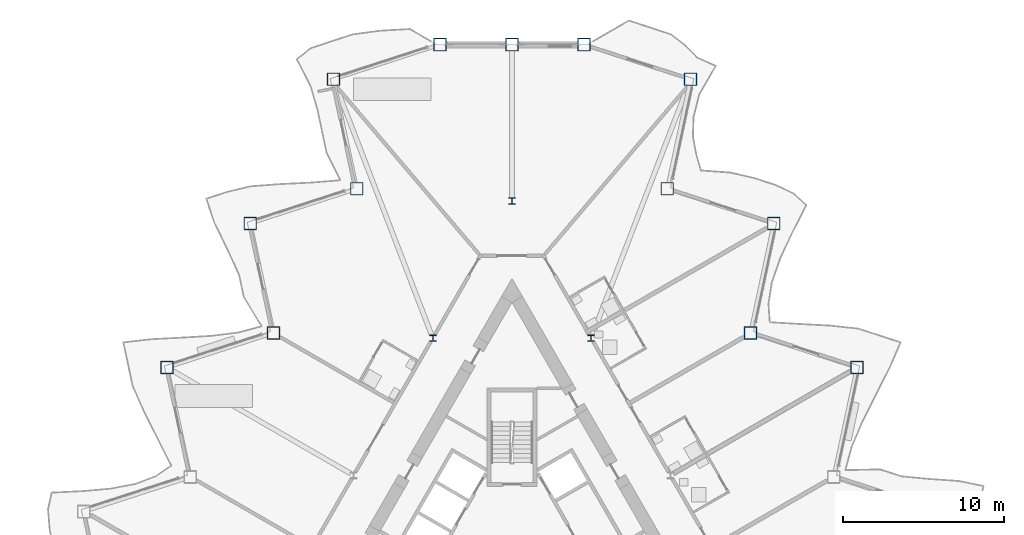
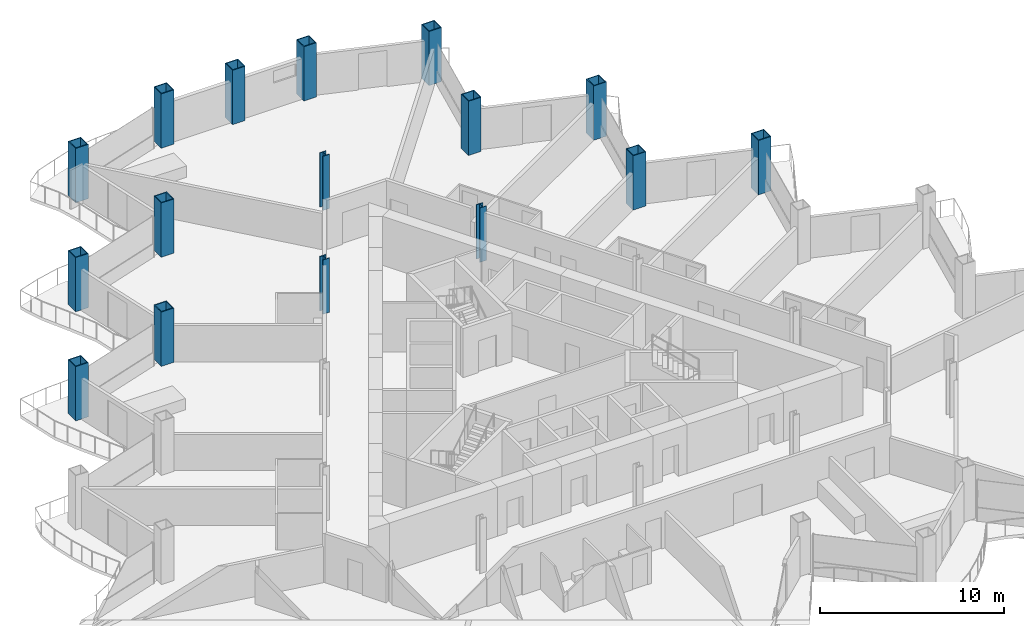
# One storey, part 2 of 24: 16 columns.
"""IFC4 building model written with IfcOpenShell, lengths in metres."""

from ifc_helpers import new_model, si_unit, direction, frame, origin, origin_2d, place, context, subcontext, project, spatial, hollow_rectangle, i_section, extrude, material, material_profile, profile_set, type_object, element, save


model = new_model("IFC4")

# Units and contexts
model_context = context("Model", 3, precision=1e-05, world=origin(), true_north=direction((0.0, 1.0)))
body_context = subcontext(model_context, "Body", "Model", "MODEL_VIEW")
ifc_project = project(units=[si_unit("LENGTHUNIT", "METRE"), si_unit("AREAUNIT", "SQUARE_METRE"), si_unit("VOLUMEUNIT", "CUBIC_METRE"), si_unit("PLANEANGLEUNIT", "RADIAN"), si_unit("MASSUNIT", "GRAM", prefix="KILO")], contexts=[model_context])

# Site, building, storey
site_placement = place(None, origin())
site = spatial("IfcSite", under=ifc_project, at=site_placement, CompositionType="ELEMENT")
building_placement = place(site_placement, origin())
building = spatial("IfcBuilding", under=site, at=building_placement, Name="Cormorant Prow Tower", CompositionType="ELEMENT")
storey_placement = place(building_placement, frame((0.0, 0.0, 201.60009765625)))
storey = spatial("IfcBuildingStorey", under=building, at=storey_placement, Name="L44", CompositionType="ELEMENT", Elevation=201.60009765625)

# Columns
ifc_material_1 = material(Name="Structural steel ASTM A572 Gr 50", Category="steel")
ifc_material_profile_1 = material_profile(ifc_material_1, hollow_rectangle(XDim=0.800048828125, YDim=0.800048828125, WallThickness=0.050048828125, at=origin_2d()), Name="Box 800x800x50")
ifc_profile_set_1 = profile_set([ifc_material_profile_1], Name="Structural steel ASTM A572 Gr 50")
column_type_1 = type_object("IfcColumnType", Name="Perimeter box column 800x800x50", PredefinedType="COLUMN", material=ifc_profile_set_1)
for number, where, z_axis, x_axis, name in (
    (1, (21.409423828125, 12.36083984375, 0.0), (0.0, 0.0, 1.0), (1.0, 0.0, 0.0), "Perimeter column C4 at ENE05 L44"),
    (2, (14.7998046875, 14.50830078125, 0.0), (0.0, 0.0, 1.0), (1.0, 0.0, 0.0), "Perimeter column C4 at ENE06 L44"),
    (3, (16.244873046875, 21.306396484375, 0.0), (0.0, 0.0, 1.0), (1.0, 0.0, 0.0), "Perimeter column C4 at ENE07 L44"),
    (4, (9.63525390625, 23.453857421875, 0.0), (0.0, 0.0, 1.0), (1.0, 0.0, 0.0), "Perimeter column C4 at ENE08 L44"),
    (5, (11.080078125, 30.251953125, 0.0), (0.0, 0.0, 1.0), (1.0, 0.0, 0.0), "Perimeter column C4 at ENE09 L44"),
    (6, (4.470458984375, 32.3994140625, 0.0), (0.0, 0.0, 1.0), (1.0, 0.0, 0.0), "Perimeter column C4 at N00 L44"),
    (7, (0.0, 32.3994140625, 0.0), (0.0, 0.0, 1.0), (1.0, 0.0, 0.0), "Perimeter column C4 at N01 L44"),
    (8, (-4.470458984375, 32.3994140625, 0.0), (0.0, 0.0, 1.0), (1.0, 0.0, 0.0), "Perimeter column C4 at WNW00 L44"),
    (9, (-11.080078125, 30.251953125, 0.0), (0.0, 0.0, 1.0), (1.0, 0.0, 0.0), "Perimeter column C4 at WNW01 L44"),
    (10, (-9.63525390625, 23.453857421875, 0.0), (0.0, 0.0, 1.0), (1.0, 0.0, 0.0), "Perimeter column C4 at WNW02 L44"),
    (11, (-16.244873046875, 21.306396484375, 0.0), (0.0, 0.0, 1.0), (1.0, 0.0, 0.0), "Perimeter column C4 at WNW03 L44"),
    (12, (-14.7998046875, 14.50830078125, 0.0), (0.0, 0.0, 1.0), (1.0, 0.0, 0.0), "Perimeter column C4 at WNW04 L44"),
    (13, (-21.409423828125, 12.36083984375, 0.0), (0.0, 0.0, 1.0), (1.0, 0.0, 0.0), "Perimeter column C4 at WNW05 L44"),
):
    element("IfcColumn", number, at=place(storey_placement, frame(where, z_axis=z_axis, x_axis=x_axis)), inside=storey, type_object=column_type_1, Name=name, PredefinedType="COLUMN", context=body_context, shape_type="SweptSolid", body=[
        extrude(hollow_rectangle(XDim=0.800048828125, YDim=0.800048828125, WallThickness=0.050048828125, at=origin_2d()), origin(), (0.0, 0.0, 1.0), 3.599853515625),
    ])
ifc_material_2 = material(Name="Structural steel ASTM A992 Gr 50", Category="steel")
ifc_material_profile_2 = material_profile(ifc_material_2, i_section(OverallWidth=0.403564453125, OverallDepth=0.407470703125, WebThickness=0.027099609375, FlangeThickness=0.043701171875, at=origin_2d()), Name="W14x233")
ifc_profile_set_2 = profile_set([ifc_material_profile_2], Name="Structural steel ASTM A992 Gr 50")
column_type_2 = type_object("IfcColumnType", Name="Ring column W14x233", PredefinedType="COLUMN", material=ifc_profile_set_2)
for number, where, z_axis, x_axis, name in (
    (14, (0.0, 22.69775390625, 0.0), (0.0, 0.0, 1.0), (1.0, 0.0, 0.0), "Ring column 1 L44"),
    (15, (-4.914306640625, 14.186279296875, 0.0), (0.0, 0.0, 1.0), (1.0, 0.0, 0.0), "Ring column 2 L44"),
    (16, (4.914306640625, 14.186279296875, 0.0), (0.0, 0.0, 1.0), (1.0, 0.0, 0.0), "Ring column 12 L44"),
):
    element("IfcColumn", number, at=place(storey_placement, frame(where, z_axis=z_axis, x_axis=x_axis)), inside=storey, type_object=column_type_2, Name=name, PredefinedType="COLUMN", context=body_context, shape_type="SweptSolid", body=[
        extrude(i_section(OverallWidth=0.403564453125, OverallDepth=0.407470703125, WebThickness=0.027099609375, FlangeThickness=0.043701171875, at=origin_2d()), origin(), (0.0, 0.0, 1.0), 3.599853515625),
    ])

save(model, "model.ifc")
